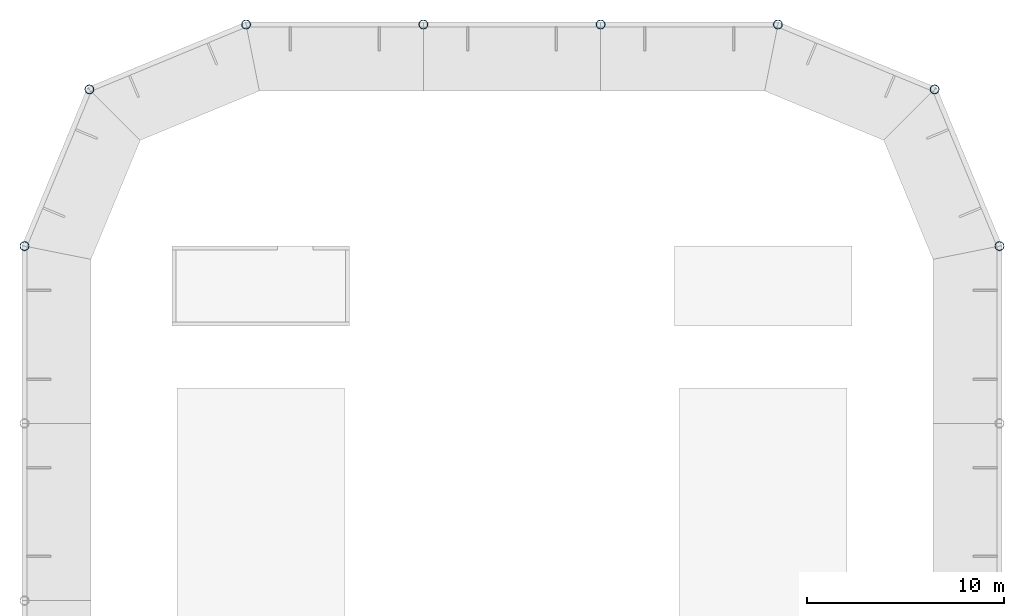
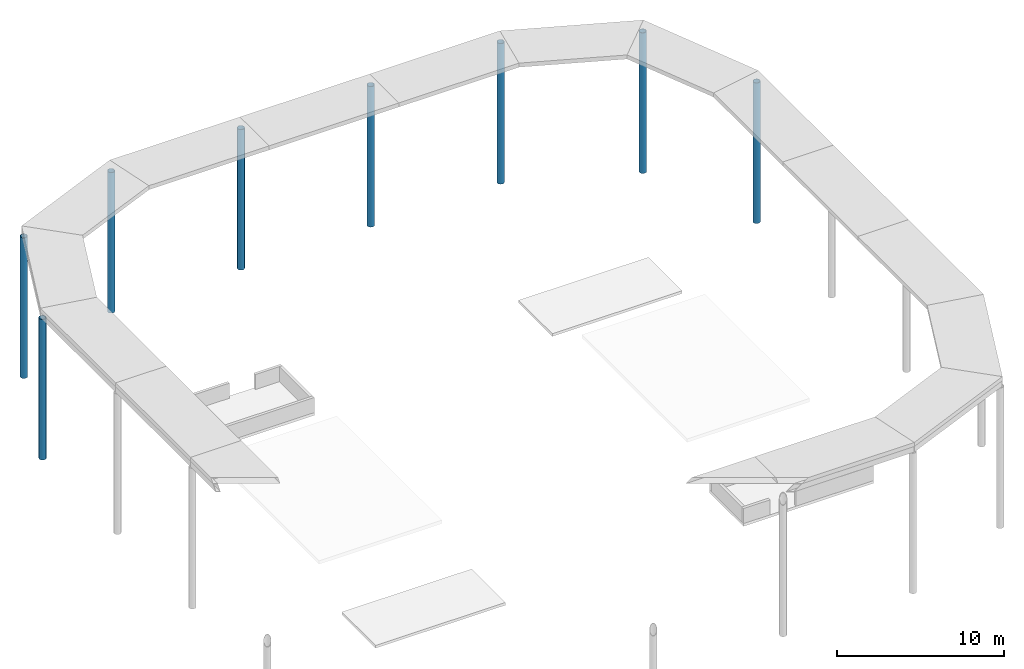
# One storey, part 2 of 4: 8 columns.
"""IFC4 building model written with IfcOpenShell, lengths in metres."""

import ifcopenshell
import ifcopenshell.guid

model = None  # the IFC model being written
_history = None  # IfcOwnerHistory: only IFC2X3 demands one
_inside = {}  # id of a spatial element -> (the spatial element, [elements in it])
_under = {}  # id of a project, library or spatial element -> (it, [spatial elements below it])
_declared = {}  # id of a project -> (the project, [libraries it declares])
_typed = {}  # id of a type object -> (the type object, [elements of that type])
_made_of = {}  # id of a material, layer set ... -> (it, [elements and type objects made of it])


def new_model(schema):
    """Start an empty IFC model of exactly this schema.

    Asked for "IFC4X3", IfcOpenShell would pick the latest addendum, in which some entities
    have other attributes; the version numbers below select the first issue.
    IFC2X3 requires an IfcOwnerHistory on every rooted entity: one is made here for all.
    """
    global model, _history
    if schema == "IFC4X3":
        model = ifcopenshell.file(schema_version=(4, 3, 0, 0))
    else:
        model = ifcopenshell.file(schema=schema)
    _inside.clear()
    _under.clear()
    _declared.clear()
    _typed.clear()
    _made_of.clear()
    _history = None
    if model.schema == "IFC2X3":
        org = make("IfcOrganization", Name="unknown")
        user = make(
            "IfcPersonAndOrganization",
            ThePerson=make("IfcPerson", FamilyName="unknown"),
            TheOrganization=org,
        )
        app = make(
            "IfcApplication",
            ApplicationDeveloper=org,
            Version="unknown",
            ApplicationFullName="unknown",
            ApplicationIdentifier="unknown",
        )
        _history = make(
            "IfcOwnerHistory",
            OwningUser=user,
            OwningApplication=app,
            ChangeAction="ADDED",
            CreationDate=0,
        )
    return model


def make(cls, **values):
    """One entity of the class cls with the attributes given. An attribute that is None is left unset."""
    return model.create_entity(
        cls, **{name: value for name, value in values.items() if value is not None}
    )


def rooted(cls, **values):
    """An entity with a GlobalId (a new one), such as an element, a storey or a relation."""
    return make(cls, GlobalId=ifcopenshell.guid.new(), OwnerHistory=_history, **values)


def si_unit(unit_type, name, prefix=None):
    """IfcSIUnit, for example si_unit("LENGTHUNIT", "METRE", prefix="MILLI")."""
    return make("IfcSIUnit", UnitType=unit_type, Prefix=prefix, Name=name)


def assignment(units):
    """IfcUnitAssignment: the units of a project."""
    return None if units is None else make("IfcUnitAssignment", Units=units)


def point(xyz):
    """IfcCartesianPoint."""
    return None if xyz is None else make("IfcCartesianPoint", Coordinates=xyz)


def direction(xyz):
    """IfcDirection."""
    return None if xyz is None else make("IfcDirection", DirectionRatios=xyz)


def frame(location, z_axis=None, x_axis=None):
    """IfcAxis2Placement3D, a coordinate frame: its origin and axes. An axis left out is left unset."""
    return make(
        "IfcAxis2Placement3D",
        Location=point(location),
        Axis=direction(z_axis),
        RefDirection=direction(x_axis),
    )


def frame_2d(location, x_axis=None):
    """IfcAxis2Placement2D, a coordinate frame in the plane: its origin and x axis."""
    return make(
        "IfcAxis2Placement2D", Location=point(location), RefDirection=direction(x_axis)
    )


def origin():
    """The frame at (0, 0, 0) with its axes left unset."""
    return frame((0.0, 0.0, 0.0))


def origin_2d():
    """The frame at (0, 0) in the plane with its x axis left unset."""
    return frame_2d((0.0, 0.0))


def place(relative_to, where):
    """IfcLocalPlacement: puts the frame where relative to a parent placement (None: the world)."""
    return make(
        "IfcLocalPlacement", PlacementRelTo=relative_to, RelativePlacement=where
    )


def context(
    kind, dimensions, precision=None, world=None, true_north=None, identifier=None
):
    """IfcGeometricRepresentationContext, for example the 3D "Model" context."""
    return make(
        "IfcGeometricRepresentationContext",
        ContextIdentifier=identifier,
        ContextType=kind,
        CoordinateSpaceDimension=dimensions,
        Precision=precision,
        WorldCoordinateSystem=world,
        TrueNorth=true_north,
    )


def subcontext(parent, identifier, kind, view, scale=None):
    """IfcGeometricRepresentationSubContext, for example "Body" below "Model"."""
    return make(
        "IfcGeometricRepresentationSubContext",
        ContextIdentifier=identifier,
        ContextType=kind,
        ParentContext=parent,
        TargetScale=scale,
        TargetView=view,
    )


def project(units=None, contexts=None):
    """IfcProject with its units and contexts."""
    return rooted(
        "IfcProject",
        Name="project",
        RepresentationContexts=contexts,
        UnitsInContext=assignment(units),
    )


def spatial(cls, under=None, at=None, **own):
    """A site, building, storey or space (cls), placed at a placement, below another one or the project."""
    s = rooted(cls, ObjectPlacement=at, **own)
    if under is not None:
        _under.setdefault(under.id(), (under, []))[1].append(s)
    return s


def profile(cls, at=None, kind="AREA", **sizes):
    """A parametric profile (cls). Its sizes go by their IFC names, for example OverallWidth=200.0."""
    return make(cls, ProfileType=kind, Position=at, **sizes)


def hollow_circle(**sizes):
    """IfcCircleHollowProfileDef."""
    return profile("IfcCircleHollowProfileDef", **sizes)


def extrude(swept, where, along, depth):
    """IfcExtrudedAreaSolid: the profile swept, set in the frame where, extruded along a direction by depth."""
    return make(
        "IfcExtrudedAreaSolid",
        SweptArea=swept,
        Position=where,
        ExtrudedDirection=direction(along),
        Depth=depth,
    )


def shape(context_of_items, identifier, shape_type, items):
    """IfcShapeRepresentation: the items that make up one representation, for example the "Body"."""
    return make(
        "IfcShapeRepresentation",
        ContextOfItems=context_of_items,
        RepresentationIdentifier=identifier,
        RepresentationType=shape_type,
        Items=items,
    )


def material(Name=None, Category=None):
    """IfcMaterial."""
    return make("IfcMaterial", Name=Name, Category=Category)


def material_profile(
    of_material, cross_section, Name=None, Category=None, Priority=None
):
    """IfcMaterialProfile: a cross section and its material."""
    return make(
        "IfcMaterialProfile",
        Name=Name,
        Material=of_material,
        Profile=cross_section,
        Priority=Priority,
        Category=Category,
    )


def profile_set(profiles, Name=None, composite=None):
    """IfcMaterialProfileSet."""
    return make(
        "IfcMaterialProfileSet",
        Name=Name,
        MaterialProfiles=profiles,
        CompositeProfile=composite,
    )


def made_of(thing, what):
    """Note that an element or type object is made of a material, layer set ...; save() writes the relation."""
    if what is not None:
        _made_of.setdefault(what.id(), (what, []))[1].append(thing)
    return thing


def type_object(cls, material=None, **own):
    """A type object (cls), such as IfcWallType, which elements share."""
    return made_of(rooted(cls, **own), material)


def element(
    cls,
    number,
    at=None,
    inside=None,
    cuts=None,
    type_object=None,
    material=None,
    context=None,
    identifier="Body",
    shape_type=None,
    held_by="IfcProductDefinitionShape",
    body=None,
    shapes=None,
    **own,
):
    """One element of the class cls, such as IfcWall. Its Tag is "e" and its number.

    at: its placement. inside: the storey or other place that contains it. cuts: it is an
    opening in that element (IfcRelVoidsElement). A single representation is given by context,
    identifier, shape_type and body (its items); several are given by shapes. held_by: the class
    of the entity that holds the representations. save() writes the other relations.
    """
    e = rooted(cls, Tag="e%d" % number, ObjectPlacement=at, **own)
    if body is not None:
        shapes = [shape(context, identifier, shape_type, body)]
    if shapes is not None:
        e.Representation = make(held_by, Representations=shapes)
    if inside is not None:
        _inside.setdefault(inside.id(), (inside, []))[1].append(e)
    if cuts is not None:
        rooted(
            "IfcRelVoidsElement", RelatingBuildingElement=cuts, RelatedOpeningElement=e
        )
    if type_object is not None:
        _typed.setdefault(type_object.id(), (type_object, []))[1].append(e)
    return made_of(e, material)


def aggregate(whole, parts):
    """IfcRelAggregates: a whole, such as a stair, and the parts it consists of."""
    return rooted("IfcRelAggregates", RelatingObject=whole, RelatedObjects=parts)


def save(model, path):
    """Write the relations noted so far, then the file.

    IfcRelAggregates (storeys below a building ...), IfcRelContainedInSpatialStructure (elements
    in a storey), IfcRelDefinesByType, IfcRelAssociatesMaterial and IfcRelDeclares: one each for
    every whole, place, type object, material and project.
    """
    for whole, parts in _under.values():
        aggregate(whole, parts)
    for where, things in _inside.values():
        rooted(
            "IfcRelContainedInSpatialStructure",
            RelatedElements=things,
            RelatingStructure=where,
        )
    for kind, things in _typed.values():
        rooted("IfcRelDefinesByType", RelatedObjects=things, RelatingType=kind)
    for what, things in _made_of.values():
        rooted("IfcRelAssociatesMaterial", RelatedObjects=things, RelatingMaterial=what)
    for by, libraries in _declared.values():
        rooted("IfcRelDeclares", RelatingContext=by, RelatedDefinitions=libraries)
    model.write(path)


model = new_model("IFC4")

# Units and contexts
model_context = context("Model", 3, precision=1e-05, world=origin(), true_north=direction((0.0, 1.0)))
body_context = subcontext(model_context, "Body", "Model", "MODEL_VIEW")
ifc_project = project(units=[si_unit("LENGTHUNIT", "METRE"), si_unit("AREAUNIT", "SQUARE_METRE"), si_unit("VOLUMEUNIT", "CUBIC_METRE"), si_unit("PLANEANGLEUNIT", "RADIAN"), si_unit("MASSUNIT", "GRAM", prefix="KILO")], contexts=[model_context])

# Site, building, storey
site_placement = place(None, origin())
site = spatial("IfcSite", under=ifc_project, at=site_placement, CompositionType="ELEMENT")
building_placement = place(site_placement, origin())
building = spatial("IfcBuilding", under=site, at=building_placement, Name="Siwar Civic Tower", CompositionType="ELEMENT")
storey_placement = place(building_placement, frame((0.0, 0.0, 361.199951171875)))
storey = spatial("IfcBuildingStorey", under=building, at=storey_placement, Name="UPPER ROOF", CompositionType="ELEMENT", Elevation=361.199951171875)

# Columns
ifc_material = material(Name="Steel S355", Category="steel")
ifc_material_profile = material_profile(ifc_material, hollow_circle(Radius=0.228515625, WallThickness=0.02001953125, at=origin_2d()), Name="CHS457x20")
ifc_profile_set = profile_set([ifc_material_profile], Name="Steel S355")
column_type = type_object("IfcColumnType", Name="ENV-CROWN POST", PredefinedType="COLUMN", material=ifc_profile_set)
for number, where, z_axis, x_axis, name in (
    (1, (24.75, 13.5, 0.0), (0.0, 0.0, 1.0), (1.0, 0.0, 0.0), "Crown post NE1-0"),
    (2, (21.454833984375, 21.454833984375, 0.0), (0.0, 0.0, 1.0), (1.0, 0.0, 0.0), "Crown post NE2-0"),
    (3, (13.5, 24.75, 0.0), (0.0, 0.0, 1.0), (1.0, 0.0, 0.0), "Crown post N-0"),
    (4, (4.5, 24.75, 0.0), (0.0, 0.0, 1.0), (1.0, 0.0, 0.0), "Crown post N-1"),
    (5, (-4.5, 24.75, 0.0), (0.0, 0.0, 1.0), (1.0, 0.0, 0.0), "Crown post N-2"),
    (6, (-13.5, 24.75, 0.0), (0.0, 0.0, 1.0), (1.0, 0.0, 0.0), "Crown post NW1-0"),
    (7, (-21.454833984375, 21.454833984375, 0.0), (0.0, 0.0, 1.0), (1.0, 0.0, 0.0), "Crown post NW2-0"),
    (8, (-24.75, 13.5, 0.0), (0.0, 0.0, 1.0), (1.0, 0.0, 0.0), "Crown post W-0"),
):
    element("IfcColumn", number, at=place(storey_placement, frame(where, z_axis=z_axis, x_axis=x_axis)), inside=storey, type_object=column_type, Name=name, PredefinedType="COLUMN", context=body_context, shape_type="SweptSolid", body=[
        extrude(hollow_circle(Radius=0.228515625, WallThickness=0.02001953125, at=origin_2d()), origin(), (0.0, 0.0, 1.0), 10.300048828125),
    ])

save(model, "model.ifc")
